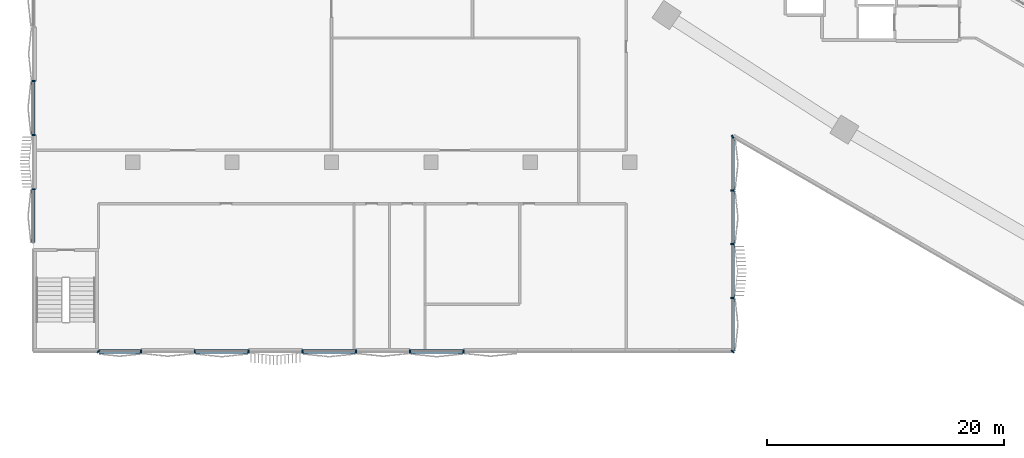
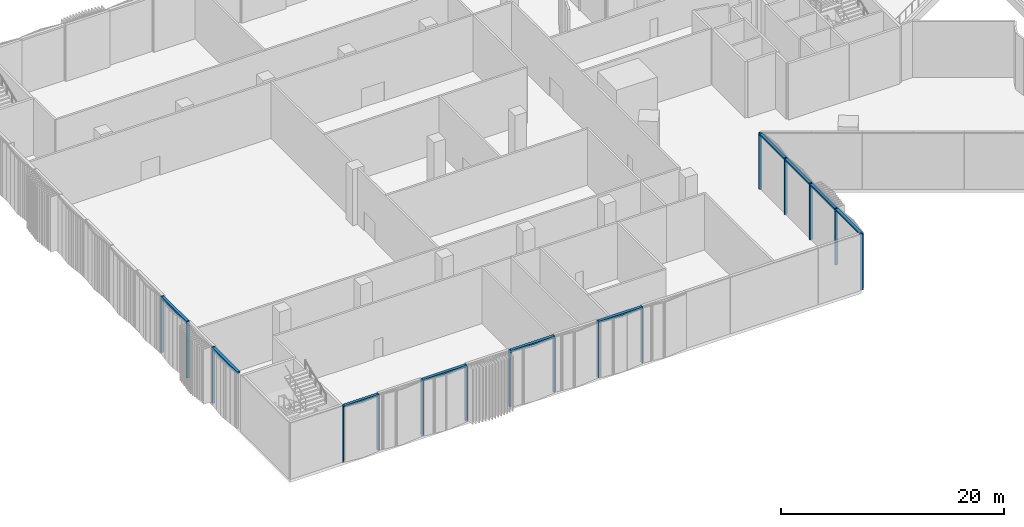
# One storey, part 2 of 32: 24 members, 3 elements without a shape of their own.
"""IFC4 building model written with IfcOpenShell, lengths in metres."""

from ifc_helpers import new_model, si_unit, direction, frame, origin, origin_2d, place, context, subcontext, project, spatial, rectangle, extrude, material, material_profile, profile_set, type_object, element, aggregate, save


model = new_model("IFC4")

# Units and contexts
model_context = context("Model", 3, precision=1e-05, world=origin(), true_north=direction((0.0, 1.0)))
body_context = subcontext(model_context, "Body", "Model", "MODEL_VIEW")
ifc_project = project(units=[si_unit("LENGTHUNIT", "METRE"), si_unit("AREAUNIT", "SQUARE_METRE"), si_unit("VOLUMEUNIT", "CUBIC_METRE"), si_unit("PLANEANGLEUNIT", "RADIAN"), si_unit("MASSUNIT", "GRAM", prefix="KILO")], contexts=[model_context])

# Site, building, storey
site_placement = place(None, origin())
site = spatial("IfcSite", under=ifc_project, at=site_placement, CompositionType="ELEMENT")
building_placement = place(site_placement, origin())
building = spatial("IfcBuilding", under=site, at=building_placement, Name="Tamra Quay Hotel Tower", CompositionType="ELEMENT")
storey_placement = place(building_placement, frame((0.0, 0.0, 7.5)))
storey = spatial("IfcBuildingStorey", under=building, at=storey_placement, Name="L01", CompositionType="ELEMENT", Elevation=7.5)

# Curtain wall, members
ifc_material = material(Name="Aluminium 6063 anodised dark grey", Category="aluminium")
curtain_wall_type = type_object("IfcCurtainWallType", Name="CW4 CURTAIN WALL", PredefinedType="NOTDEFINED", material=ifc_material)
curtain_wall_1_placement = place(storey_placement, origin())
curtain_wall_1 = element("IfcCurtainWall", 1, at=curtain_wall_1_placement, inside=storey, type_object=curtain_wall_type, Name="CW4 east face L01", PredefinedType="NOTDEFINED")
ifc_material_profile_1 = material_profile(ifc_material, rectangle(XDim=0.300048828125, YDim=0.1201171875, at=origin_2d()), Name="MULLION 120X300")
ifc_profile_set_1 = profile_set([ifc_material_profile_1], Name="Aluminium 6063 anodised dark grey")
member_type_1 = type_object("IfcMemberType", Name="MULLION CW4", PredefinedType="MULLION", material=ifc_profile_set_1)
member_1_placement = place(storey_placement, frame((-30.0, -32.0, 0.0), z_axis=(0.0, 0.0, 1.0), x_axis=(0.707106781187, -0.707106781187, 0.0)))
member_1 = element("IfcMember", 2, at=member_1_placement, type_object=member_type_1, Name="CW4 mullion L01.E.1", PredefinedType="MULLION", context=body_context, shape_type="SweptSolid", body=[
    extrude(rectangle(XDim=0.300048828125, YDim=0.1201171875, at=origin_2d()), origin(), (0.0, 0.0, 1.0), 6.14990234375),
])
member_2_placement = place(storey_placement, frame((-30.0, -27.464111328125, 0.0), z_axis=(0.0, 0.0, 1.0), x_axis=(1.0, 0.0, 0.0)))
member_2 = element("IfcMember", 3, at=member_2_placement, type_object=member_type_1, Name="CW4 mullion L01.E.2", PredefinedType="MULLION", context=body_context, shape_type="SweptSolid", body=[
    extrude(rectangle(XDim=0.300048828125, YDim=0.1201171875, at=origin_2d()), origin(), (0.0, 0.0, 1.0), 6.14990234375),
])
member_3_placement = place(storey_placement, frame((-30.0, -22.92822265625, 0.0), z_axis=(0.0, 0.0, 1.0), x_axis=(1.0, 0.0, 0.0)))
member_3 = element("IfcMember", 4, at=member_3_placement, type_object=member_type_1, Name="CW4 mullion L01.E.3", PredefinedType="MULLION", context=body_context, shape_type="SweptSolid", body=[
    extrude(rectangle(XDim=0.300048828125, YDim=0.1201171875, at=origin_2d()), origin(), (0.0, 0.0, 1.0), 6.14990234375),
])
member_4_placement = place(storey_placement, frame((-30.0, -18.392333984375, 0.0), z_axis=(0.0, 0.0, 1.0), x_axis=(1.0, 0.0, 0.0)))
member_4 = element("IfcMember", 5, at=member_4_placement, type_object=member_type_1, Name="CW4 mullion L01.E.4", PredefinedType="MULLION", context=body_context, shape_type="SweptSolid", body=[
    extrude(rectangle(XDim=0.300048828125, YDim=0.1201171875, at=origin_2d()), origin(), (0.0, 0.0, 1.0), 6.14990234375),
])
member_5_placement = place(storey_placement, frame((-30.0, -13.8564453125, 0.0), z_axis=(0.0, 0.0, 1.0), x_axis=(0.5, -0.866025403784, 0.0)))
member_5 = element("IfcMember", 6, at=member_5_placement, type_object=member_type_1, Name="CW4 mullion L01.E.5", PredefinedType="MULLION", context=body_context, shape_type="SweptSolid", body=[
    extrude(rectangle(XDim=0.300048828125, YDim=0.1201171875, at=origin_2d()), origin(), (0.0, 0.0, 1.0), 6.14990234375),
])

curtain_wall_2_placement = place(storey_placement, origin())
curtain_wall_2 = element("IfcCurtainWall", 7, at=curtain_wall_2_placement, inside=storey, type_object=curtain_wall_type, Name="CW4 south-west face L01", PredefinedType="NOTDEFINED")
member_6_placement = place(storey_placement, frame((-83.60009765625, -32.0, 0.0), z_axis=(0.0, 0.0, 1.0), x_axis=(-0.707106781187, -0.707106781187, 0.0)))
member_6 = element("IfcMember", 8, at=member_6_placement, type_object=member_type_1, Name="CW4 mullion L01.SW.1", PredefinedType="MULLION", context=body_context, shape_type="SweptSolid", body=[
    extrude(rectangle(XDim=0.300048828125, YDim=0.1201171875, at=origin_2d()), origin(), (0.0, 0.0, 1.0), 6.14990234375),
])
member_7_placement = place(storey_placement, frame((-80.0078125, -32.0, 0.0), z_axis=(0.0, 0.0, 1.0), x_axis=(0.0, -1.0, 0.0)))
member_7 = element("IfcMember", 9, at=member_7_placement, type_object=member_type_1, Name="CW4 mullion L01.SW.2", PredefinedType="MULLION", context=body_context, shape_type="SweptSolid", body=[
    extrude(rectangle(XDim=0.300048828125, YDim=0.1201171875, at=origin_2d()), origin(), (0.0, 0.0, 1.0), 6.14990234375),
])
member_8_placement = place(storey_placement, frame((-75.46142578125, -32.0, 0.0), z_axis=(0.0, 0.0, 1.0), x_axis=(0.0, -1.0, 0.0)))
member_8 = element("IfcMember", 10, at=member_8_placement, type_object=member_type_1, Name="CW4 mullion L01.SW.2", PredefinedType="MULLION", context=body_context, shape_type="SweptSolid", body=[
    extrude(rectangle(XDim=0.300048828125, YDim=0.1201171875, at=origin_2d()), origin(), (0.0, 0.0, 1.0), 6.14990234375),
])
member_9_placement = place(storey_placement, frame((-70.915283203125, -32.0, 0.0), z_axis=(0.0, 0.0, 1.0), x_axis=(0.0, -1.0, 0.0)))
member_9 = element("IfcMember", 11, at=member_9_placement, type_object=member_type_1, Name="CW4 mullion L01.SW.3", PredefinedType="MULLION", context=body_context, shape_type="SweptSolid", body=[
    extrude(rectangle(XDim=0.300048828125, YDim=0.1201171875, at=origin_2d()), origin(), (0.0, 0.0, 1.0), 6.14990234375),
])
member_10_placement = place(storey_placement, frame((-66.369140625, -32.0, 0.0), z_axis=(0.0, 0.0, 1.0), x_axis=(0.0, -1.0, 0.0)))
member_10 = element("IfcMember", 12, at=member_10_placement, type_object=member_type_1, Name="CW4 mullion L01.SW.3", PredefinedType="MULLION", context=body_context, shape_type="SweptSolid", body=[
    extrude(rectangle(XDim=0.300048828125, YDim=0.1201171875, at=origin_2d()), origin(), (0.0, 0.0, 1.0), 6.14990234375),
])
member_11_placement = place(storey_placement, frame((-61.822998046875, -32.0, 0.0), z_axis=(0.0, 0.0, 1.0), x_axis=(0.0, -1.0, 0.0)))
member_11 = element("IfcMember", 13, at=member_11_placement, type_object=member_type_1, Name="CW4 mullion L01.SW.4", PredefinedType="MULLION", context=body_context, shape_type="SweptSolid", body=[
    extrude(rectangle(XDim=0.300048828125, YDim=0.1201171875, at=origin_2d()), origin(), (0.0, 0.0, 1.0), 6.14990234375),
])
member_12_placement = place(storey_placement, frame((-57.27685546875, -32.0, 0.0), z_axis=(0.0, 0.0, 1.0), x_axis=(0.0, -1.0, 0.0)))
member_12 = element("IfcMember", 14, at=member_12_placement, type_object=member_type_1, Name="CW4 mullion L01.SW.4", PredefinedType="MULLION", context=body_context, shape_type="SweptSolid", body=[
    extrude(rectangle(XDim=0.300048828125, YDim=0.1201171875, at=origin_2d()), origin(), (0.0, 0.0, 1.0), 6.14990234375),
])
member_13_placement = place(storey_placement, frame((-52.730712890625, -32.0, 0.0), z_axis=(0.0, 0.0, 1.0), x_axis=(0.0, -1.0, 0.0)))
member_13 = element("IfcMember", 15, at=member_13_placement, type_object=member_type_1, Name="CW4 mullion L01.SW.5", PredefinedType="MULLION", context=body_context, shape_type="SweptSolid", body=[
    extrude(rectangle(XDim=0.300048828125, YDim=0.1201171875, at=origin_2d()), origin(), (0.0, 0.0, 1.0), 6.14990234375),
])

curtain_wall_3_placement = place(storey_placement, origin())
curtain_wall_3 = element("IfcCurtainWall", 16, at=curtain_wall_3_placement, inside=storey, type_object=curtain_wall_type, Name="CW4 west face L01", PredefinedType="NOTDEFINED")
member_14_placement = place(storey_placement, frame((-89.10009765625, -9.142822265625, 0.0), z_axis=(0.0, 0.0, 1.0), x_axis=(-1.0, 0.0, 0.0)))
member_14 = element("IfcMember", 17, at=member_14_placement, type_object=member_type_1, Name="CW4 mullion L01.W.4", PredefinedType="MULLION", context=body_context, shape_type="SweptSolid", body=[
    extrude(rectangle(XDim=0.300048828125, YDim=0.1201171875, at=origin_2d()), origin(), (0.0, 0.0, 1.0), 6.14990234375),
])
member_15_placement = place(storey_placement, frame((-89.10009765625, -13.71435546875, 0.0), z_axis=(0.0, 0.0, 1.0), x_axis=(-1.0, 0.0, 0.0)))
member_15 = element("IfcMember", 18, at=member_15_placement, type_object=member_type_1, Name="CW4 mullion L01.W.5", PredefinedType="MULLION", context=body_context, shape_type="SweptSolid", body=[
    extrude(rectangle(XDim=0.300048828125, YDim=0.1201171875, at=origin_2d()), origin(), (0.0, 0.0, 1.0), 6.14990234375),
])
member_16_placement = place(storey_placement, frame((-89.10009765625, -18.28564453125, 0.0), z_axis=(0.0, 0.0, 1.0), x_axis=(-1.0, 0.0, 0.0)))
member_16 = element("IfcMember", 19, at=member_16_placement, type_object=member_type_1, Name="CW4 mullion L01.W.5", PredefinedType="MULLION", context=body_context, shape_type="SweptSolid", body=[
    extrude(rectangle(XDim=0.300048828125, YDim=0.1201171875, at=origin_2d()), origin(), (0.0, 0.0, 1.0), 6.14990234375),
])

# Member
ifc_material_profile_2 = material_profile(ifc_material, rectangle(XDim=0.300048828125, YDim=0.179931640625, at=origin_2d()), Name="TRANSOM 300X180")
ifc_profile_set_2 = profile_set([ifc_material_profile_2], Name="Aluminium 6063 anodised dark grey")
member_type_2 = type_object("IfcMemberType", Name="TRANSOM CW4", PredefinedType="USERDEFINED", material=ifc_profile_set_2)
member_17_placement = place(storey_placement, frame((-30.0, -31.93994140625, 6.06005859375), z_axis=(0.0, 1.0, 0.0), x_axis=(-1.0, 0.0, 0.0)))
member_17 = element("IfcMember", 20, at=member_17_placement, type_object=member_type_2, Name="CW4 transom L01.E.1", ObjectType="TRANSOM", PredefinedType="USERDEFINED", context=body_context, shape_type="SweptSolid", body=[
    extrude(rectangle(XDim=0.300048828125, YDim=0.179931640625, at=origin_2d()), origin(), (0.0, 0.0, 1.0), 13.487548828125),
])

member_18_placement = place(storey_placement, frame((-30.0, -18.332275390625, 6.06005859375), z_axis=(0.0, 1.0, 0.0), x_axis=(-1.0, 0.0, 0.0)))
member_18 = element("IfcMember", 21, at=member_18_placement, type_object=member_type_2, Name="CW4 transom L01.E.4", ObjectType="TRANSOM", PredefinedType="USERDEFINED", context=body_context, shape_type="SweptSolid", body=[
    extrude(rectangle(XDim=0.300048828125, YDim=0.179931640625, at=origin_2d()), origin(), (0.0, 0.0, 1.0), 4.415771484375),
])

aggregate(curtain_wall_1, [member_1, member_17, member_2, member_3, member_4, member_18, member_5])

member_19_placement = place(storey_placement, frame((-83.5400390625, -32.0, 6.06005859375), z_axis=(1.0, 0.0, 0.0), x_axis=(0.0, 1.0, 0.0)))
member_19 = element("IfcMember", 22, at=member_19_placement, type_object=member_type_2, Name="CW4 transom L01.SW.1", ObjectType="TRANSOM", PredefinedType="USERDEFINED", context=body_context, shape_type="SweptSolid", body=[
    extrude(rectangle(XDim=0.300048828125, YDim=0.179931640625, at=origin_2d()), origin(), (0.0, 0.0, 1.0), 3.472412109375),
])

member_20_placement = place(storey_placement, frame((-75.401611328125, -32.0, 6.06005859375), z_axis=(1.0, 0.0, 0.0), x_axis=(0.0, 1.0, 0.0)))
member_20 = element("IfcMember", 23, at=member_20_placement, type_object=member_type_2, Name="CW4 transom L01.SW.2", ObjectType="TRANSOM", PredefinedType="USERDEFINED", context=body_context, shape_type="SweptSolid", body=[
    extrude(rectangle(XDim=0.300048828125, YDim=0.179931640625, at=origin_2d()), origin(), (0.0, 0.0, 1.0), 4.42626953125),
])

member_21_placement = place(storey_placement, frame((-66.309326171875, -32.0, 6.06005859375), z_axis=(1.0, 0.0, 0.0), x_axis=(0.0, 1.0, 0.0)))
member_21 = element("IfcMember", 24, at=member_21_placement, type_object=member_type_2, Name="CW4 transom L01.SW.3", ObjectType="TRANSOM", PredefinedType="USERDEFINED", context=body_context, shape_type="SweptSolid", body=[
    extrude(rectangle(XDim=0.300048828125, YDim=0.179931640625, at=origin_2d()), origin(), (0.0, 0.0, 1.0), 4.42626953125),
])

member_22_placement = place(storey_placement, frame((-57.217041015625, -32.0, 6.06005859375), z_axis=(1.0, 0.0, 0.0), x_axis=(0.0, 1.0, 0.0)))
member_22 = element("IfcMember", 25, at=member_22_placement, type_object=member_type_2, Name="CW4 transom L01.SW.4", ObjectType="TRANSOM", PredefinedType="USERDEFINED", context=body_context, shape_type="SweptSolid", body=[
    extrude(rectangle(XDim=0.300048828125, YDim=0.179931640625, at=origin_2d()), origin(), (0.0, 0.0, 1.0), 4.42626953125),
])

aggregate(curtain_wall_2, [member_6, member_19, member_7, member_8, member_20, member_9, member_10, member_21, member_11, member_12, member_22, member_13])

member_23_placement = place(storey_placement, frame((-89.10009765625, -9.202880859375, 6.06005859375), z_axis=(0.0, -1.0, 0.0), x_axis=(1.0, 0.0, 0.0)))
member_23 = element("IfcMember", 26, at=member_23_placement, type_object=member_type_2, Name="CW4 transom L01.W.4", ObjectType="TRANSOM", PredefinedType="USERDEFINED", context=body_context, shape_type="SweptSolid", body=[
    extrude(rectangle(XDim=0.300048828125, YDim=0.179931640625, at=origin_2d()), origin(), (0.0, 0.0, 1.0), 4.451416015625),
])

member_24_placement = place(storey_placement, frame((-89.10009765625, -18.345703125, 6.06005859375), z_axis=(0.0, -1.0, 0.0), x_axis=(1.0, 0.0, 0.0)))
member_24 = element("IfcMember", 27, at=member_24_placement, type_object=member_type_2, Name="CW4 transom L01.W.5", ObjectType="TRANSOM", PredefinedType="USERDEFINED", context=body_context, shape_type="SweptSolid", body=[
    extrude(rectangle(XDim=0.300048828125, YDim=0.179931640625, at=origin_2d()), origin(), (0.0, 0.0, 1.0), 4.451416015625),
])

aggregate(curtain_wall_3, [member_14, member_23, member_15, member_16, member_24])

save(model, "model.ifc")
